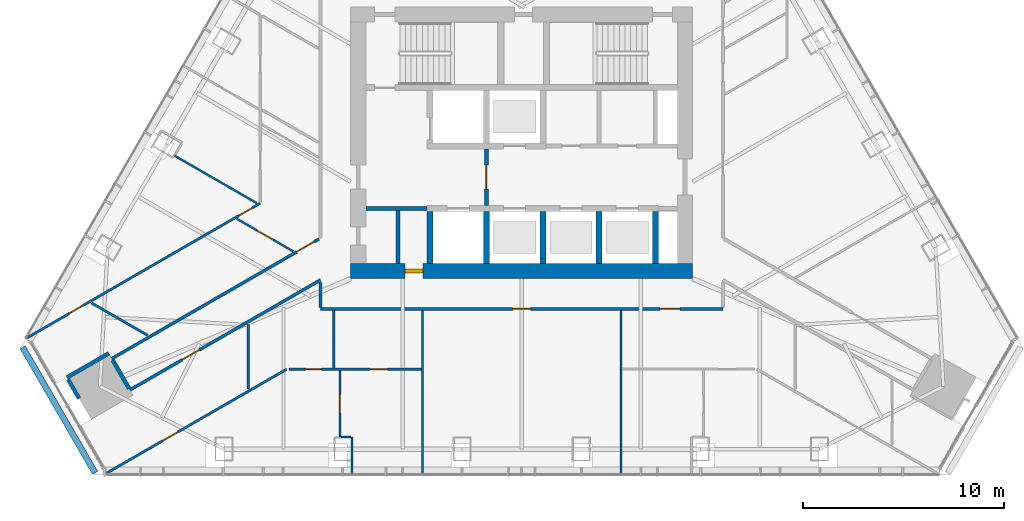
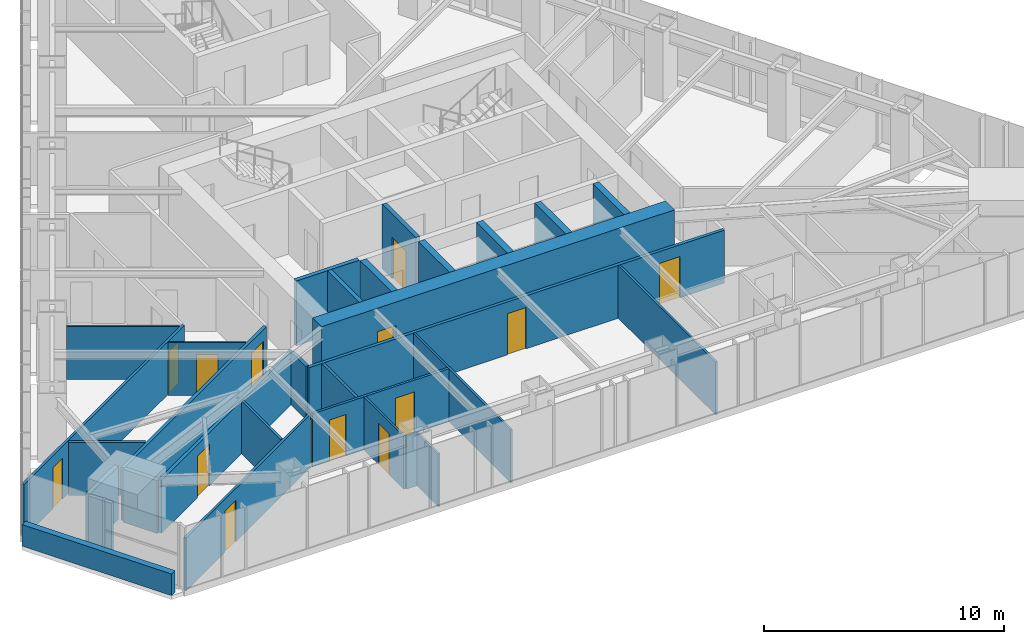
# One storey, part 10 of 15: 30 walls, 13 doors, 13 openings.
"""IFC4 building model written with IfcOpenShell, lengths in metres."""

from ifc_helpers import new_model, si_unit, direction, frame, frame_2d, origin, place, context, subcontext, project, spatial, rectangle, extrude, material, layer, layer_set, type_object, element, fill, save


model = new_model("IFC4")

# Units and contexts
model_context = context("Model", 3, precision=1e-05, world=origin(), true_north=direction((0.0, 1.0)))
body_context = subcontext(model_context, "Body", "Model", "MODEL_VIEW")
ifc_project = project(units=[si_unit("LENGTHUNIT", "METRE"), si_unit("AREAUNIT", "SQUARE_METRE"), si_unit("VOLUMEUNIT", "CUBIC_METRE"), si_unit("PLANEANGLEUNIT", "RADIAN"), si_unit("MASSUNIT", "GRAM", prefix="KILO")], contexts=[model_context])

# Site, building, storey
site_placement = place(None, origin())
site = spatial("IfcSite", under=ifc_project, at=site_placement, CompositionType="ELEMENT")
building_placement = place(site_placement, origin())
building = spatial("IfcBuilding", under=site, at=building_placement, Name="Firuza Gate Tower and Library", CompositionType="ELEMENT")
storey_placement = place(building_placement, frame((0.0, 0.0, 309.10009765625)))
storey = spatial("IfcBuildingStorey", under=building, at=storey_placement, Name="L75", CompositionType="ELEMENT", Elevation=309.10009765625)

# Walls
ifc_material_1 = material(Name="Plasterboard on steel studs", Category="steel")
ifc_layer_1 = layer(ifc_material_1, 0.199951171875)
ifc_layer_set_1 = layer_set([ifc_layer_1], Name="Core partition 200 EI 120")
wall_type_1 = type_object("IfcWallType", Name="Core partition 200 EI 120", PredefinedType="PARTITIONING", material=ifc_layer_set_1)
wall_1_placement = place(storey_placement, frame((67.25, 71.75, 0.0), z_axis=(0.0, 0.0, 1.0), x_axis=(1.0, 0.0, 0.0)))
element("IfcWall", 1, at=wall_1_placement, inside=storey, type_object=wall_type_1, Name="Core partition L75 1", PredefinedType="PARTITIONING", context=body_context, shape_type="SweptSolid", body=[
    extrude(rectangle(XDim=3.050048828125, YDim=0.199951171875, at=frame_2d((1.52490234375, 0.0))), origin(), (0.0, 0.0, 1.0), 3.2998046875),
])
wall_2_placement = place(storey_placement, frame((68.85009765625, 69.0, 0.0), z_axis=(0.0, 0.0, 1.0), x_axis=(0.0, 1.0, 0.0)))
element("IfcWall", 2, at=wall_2_placement, inside=storey, type_object=wall_type_1, Name="Core partition L75 4", PredefinedType="PARTITIONING", context=body_context, shape_type="SweptSolid", body=[
    extrude(rectangle(XDim=2.64990234375, YDim=0.199951171875, at=frame_2d((1.324951171875, 0.0))), origin(), (0.0, 0.0, 1.0), 3.2998046875),
])

# Wall, opening, door
ifc_material_2 = material(Name="Plasterboard on steel studs", Category="steel")
ifc_layer_2 = layer(ifc_material_2, 0.199951171875)
ifc_layer_set_2 = layer_set([ifc_layer_2], Name="Core partition 200 EI 60")
wall_type_2 = type_object("IfcWallType", Name="Core partition 200 EI 60", PredefinedType="PARTITIONING", material=ifc_layer_set_2)
wall_3_placement = place(storey_placement, frame((73.25, 71.89990234375, 0.0), z_axis=(0.0, 0.0, 1.0), x_axis=(0.0, 1.0, 0.0)))
wall_3 = element("IfcWall", 3, at=wall_3_placement, inside=storey, type_object=wall_type_2, Name="Core partition L75 5", PredefinedType="PARTITIONING", context=body_context, shape_type="SweptSolid", body=[
    extrude(rectangle(XDim=2.800048828125, YDim=0.199951171875, at=frame_2d((1.39990234375, 0.0))), origin(), (0.0, 0.0, 1.0), 3.2998046875),
])
opening_1_placement = place(wall_3_placement, frame((0.800048828125, 0.0, 0.0)))
opening_1 = element("IfcOpeningElement", 4, at=opening_1_placement, cuts=wall_3, Name="Opening L75-K14", PredefinedType="OPENING", context=body_context, shape_type="SweptSolid", body=[
    extrude(rectangle(XDim=1.199951171875, YDim=2.10009765625, at=frame_2d((0.60009765625, 1.050048828125))), frame((0.0, 0.10986328125, 0.0), z_axis=(0.0, -1.0, 0.0), x_axis=(1.0, 0.0, 0.0)), (0.0, 0.0, 1.0), 0.219970703125),
])
ifc_material_3 = material(Name="Steel", Category="steel")
door_type_1 = type_object("IfcDoorType", Name="Fire door 1200x2100 FD90S", OperationType="NOTDEFINED", PredefinedType="DOOR", material=ifc_material_3)
door_1_placement = place(opening_1_placement, origin())
door_1 = element("IfcDoor", 5, at=door_1_placement, inside=storey, type_object=door_type_1, Name="Door L75-K14", OperationType="SINGLE_SWING_LEFT", OverallHeight=2.10009765625, OverallWidth=1.199951171875, PredefinedType="DOOR", context=body_context, shape_type="SweptSolid", body=[
    extrude(rectangle(XDim=1.199951171875, YDim=2.10009765625, at=frame_2d((0.60009765625, 1.050048828125))), frame((0.0, 0.02490234375, 0.0), z_axis=(0.0, -1.0, 0.0), x_axis=(1.0, 0.0, 0.0)), (0.0, 0.0, 1.0), 0.050048828125),
])
fill(opening_1, door_1)

# Walls
ifc_material_4 = material(Name="Concrete C60/75", Category="concrete")
ifc_layer_3 = layer(ifc_material_4, 0.300048828125)
ifc_layer_set_3 = layer_set([ifc_layer_3], Name="Core wall 300 C60/75")
wall_type_3 = type_object("IfcWallType", Name="Core wall 300 C60/75", PredefinedType="SHEAR", material=ifc_layer_set_3)
for number, where, z_axis, x_axis, name in (
    (6, (70.449951171875, 69.0, 0.0), (0.0, 0.0, 1.0), (0.0, 1.0, 0.0), "Core wall L75 7"),
    (7, (73.25, 69.0, 0.0), (0.0, 0.0, 1.0), (0.0, 1.0, 0.0), "Core wall L75 9"),
    (8, (76.050048828125, 69.0, 0.0), (0.0, 0.0, 1.0), (0.0, 1.0, 0.0), "Core wall L75 11"),
    (9, (78.85009765625, 69.0, 0.0), (0.0, 0.0, 1.0), (0.0, 1.0, 0.0), "Core wall L75 13"),
    (10, (81.64990234375, 69.0, 0.0), (0.0, 0.0, 1.0), (0.0, 1.0, 0.0), "Core wall L75 14"),
):
    element("IfcWall", number, at=place(storey_placement, frame(where, z_axis=z_axis, x_axis=x_axis)), inside=storey, type_object=wall_type_3, Name=name, PredefinedType="SHEAR", context=body_context, shape_type="SweptSolid", body=[
        extrude(rectangle(XDim=2.60009765625, YDim=0.300048828125, at=frame_2d((1.300048828125, 0.0))), origin(), (0.0, 0.0, 1.0), 3.2998046875),
    ])

# Wall, opening, door
ifc_material_5 = material(Name="Concrete C60/75", Category="concrete")
ifc_layer_4 = layer(ifc_material_5, 0.75)
ifc_layer_set_4 = layer_set([ifc_layer_4], Name="Core wall 750 C60/75")
wall_type_4 = type_object("IfcWallType", Name="Core wall 750 C60/75", PredefinedType="SHEAR", material=ifc_layer_set_4)
wall_4_placement = place(storey_placement, frame((66.5, 68.625, 0.0), z_axis=(0.0, 0.0, 1.0), x_axis=(1.0, 0.0, 0.0)))
wall_4 = element("IfcWall", 11, at=wall_4_placement, inside=storey, type_object=wall_type_4, Name="Core wall L75 1", PredefinedType="SHEAR", context=body_context, shape_type="SweptSolid", body=[
    extrude(rectangle(XDim=17.0, YDim=0.75, at=frame_2d((8.5, 0.0))), origin(), (0.0, 0.0, 1.0), 3.2998046875),
])
opening_2_placement = place(wall_4_placement, frame((2.699951171875, 0.0, 0.0)))
opening_2 = element("IfcOpeningElement", 12, at=opening_2_placement, cuts=wall_4, Name="Opening L75-K18", PredefinedType="OPENING", context=body_context, shape_type="SweptSolid", body=[
    extrude(rectangle(XDim=0.89990234375, YDim=2.10009765625, at=frame_2d((0.449951171875, 1.050048828125))), frame((0.0, 0.385009765625, 0.0), z_axis=(0.0, -1.0, 0.0), x_axis=(1.0, 0.0, 0.0)), (0.0, 0.0, 1.0), 0.77001953125),
])
ifc_material_6 = material(Name="Steel", Category="steel")
door_type_2 = type_object("IfcDoorType", Name="Fire door 900x2100 FD30S", OperationType="NOTDEFINED", PredefinedType="DOOR", material=ifc_material_6)
door_2_placement = place(opening_2_placement, origin())
door_2 = element("IfcDoor", 13, at=door_2_placement, inside=storey, type_object=door_type_2, Name="Door L75-K18", OperationType="SINGLE_SWING_LEFT", OverallHeight=2.10009765625, OverallWidth=0.89990234375, PredefinedType="DOOR", context=body_context, shape_type="SweptSolid", body=[
    extrude(rectangle(XDim=0.89990234375, YDim=2.10009765625, at=frame_2d((0.449951171875, 1.050048828125))), frame((0.0, 0.094970703125, 0.0), z_axis=(0.0, -1.0, 0.0), x_axis=(1.0, 0.0, 0.0)), (0.0, 0.0, 1.0), 0.18994140625),
])
fill(opening_2, door_2)

# Wall, openings, doors
ifc_material_7 = material(Name="Gypsum board partition")
ifc_layer_5 = layer(ifc_material_7, 0.14990234375)
ifc_layer_set_5 = layer_set([ifc_layer_5], Name="Corridor wall 150 double board on steel studs")
wall_type_5 = type_object("IfcWallType", Name="Corridor wall 150 double board on steel studs", PredefinedType="PARTITIONING", material=ifc_layer_set_5)
wall_5_placement = place(storey_placement, frame((85.0, 66.75, 0.0), z_axis=(0.0, 0.0, 1.0), x_axis=(-1.0, 0.0, 0.0)))
wall_5 = element("IfcWall", 14, at=wall_5_placement, inside=storey, type_object=wall_type_5, Name="f:L75:w004", PredefinedType="PARTITIONING", context=body_context, shape_type="SweptSolid", body=[
    extrude(rectangle(XDim=20.0, YDim=0.14990234375, at=frame_2d((10.0, 0.0))), origin(), (0.0, 0.0, 1.0), 2.699951171875),
])
opening_3_placement = place(wall_5_placement, frame((2.134765625, 0.0, 0.0)))
opening_3 = element("IfcOpeningElement", 15, at=opening_3_placement, cuts=wall_5, Name="Opening L75-04", PredefinedType="OPENING", context=body_context, shape_type="SweptSolid", body=[
    extrude(rectangle(XDim=1.0, YDim=2.10009765625, at=frame_2d((0.5, 1.050048828125))), frame((0.0, 0.0849609375, 0.0), z_axis=(0.0, -1.0, 0.0), x_axis=(1.0, 0.0, 0.0)), (0.0, 0.0, 1.0), 0.169921875),
])
opening_4_placement = place(wall_5_placement, frame((9.550048828125, 0.0, 0.0)))
opening_4 = element("IfcOpeningElement", 16, at=opening_4_placement, cuts=wall_5, Name="Opening L75-05", PredefinedType="OPENING", context=body_context, shape_type="SweptSolid", body=[
    extrude(rectangle(XDim=0.89990234375, YDim=2.10009765625, at=frame_2d((0.449951171875, 1.050048828125))), frame((0.0, 0.0849609375, 0.0), z_axis=(0.0, -1.0, 0.0), x_axis=(1.0, 0.0, 0.0)), (0.0, 0.0, 1.0), 0.169921875),
])
ifc_material_8 = material(Name="Steel door and timber leaf", Category="steel")
door_type_3 = type_object("IfcDoorType", Name="Fire door 1000 x 2100 steel frame, timber leaf", OperationType="NOTDEFINED", PredefinedType="DOOR", material=ifc_material_8)
door_3_placement = place(opening_3_placement, origin())
door_3 = element("IfcDoor", 17, at=door_3_placement, inside=storey, type_object=door_type_3, Name="f:L75:d004", OperationType="SINGLE_SWING_LEFT", OverallHeight=2.10009765625, OverallWidth=1.0, PredefinedType="DOOR", context=body_context, shape_type="SweptSolid", body=[
    extrude(rectangle(XDim=1.0, YDim=2.10009765625, at=frame_2d((0.5, 1.050048828125))), frame((0.0, 0.02490234375, 0.0), z_axis=(0.0, -1.0, 0.0), x_axis=(1.0, 0.0, 0.0)), (0.0, 0.0, 1.0), 0.050048828125),
])
fill(opening_3, door_3)
ifc_material_9 = material(Name="Steel door and timber leaf", Category="steel")
door_type_4 = type_object("IfcDoorType", Name="Fire door 900 x 2100 steel frame, timber leaf", OperationType="NOTDEFINED", PredefinedType="DOOR", material=ifc_material_9)
door_4_placement = place(opening_4_placement, origin())
door_4 = element("IfcDoor", 18, at=door_4_placement, inside=storey, type_object=door_type_4, Name="f:L75:d005", OperationType="SINGLE_SWING_LEFT", OverallHeight=2.10009765625, OverallWidth=0.89990234375, PredefinedType="DOOR", context=body_context, shape_type="SweptSolid", body=[
    extrude(rectangle(XDim=0.89990234375, YDim=2.10009765625, at=frame_2d((0.449951171875, 1.050048828125))), frame((0.0, 0.02490234375, 0.0), z_axis=(0.0, -1.0, 0.0), x_axis=(1.0, 0.0, 0.0)), (0.0, 0.0, 1.0), 0.050048828125),
])
fill(opening_4, door_4)

# Wall, opening, door
wall_6_placement = place(storey_placement, frame((65.0, 68.187255859375, 0.0), z_axis=(0.0, 0.0, 1.0), x_axis=(-0.866028339337, -0.499994915439, 0.0)))
wall_6 = element("IfcWall", 19, at=wall_6_placement, inside=storey, type_object=wall_type_5, Name="f:L75:w016", PredefinedType="PARTITIONING", context=body_context, shape_type="SweptSolid", body=[
    extrude(rectangle(XDim=10.9365234375, YDim=0.14990234375, at=frame_2d((5.46826171875, 0.0))), origin(), (0.0, 0.0, 1.0), 2.697021484375),
])
opening_5_placement = place(wall_6_placement, frame((6.943359375, 0.0, 0.0)))
opening_5 = element("IfcOpeningElement", 20, at=opening_5_placement, cuts=wall_6, Name="Opening L75-10", PredefinedType="OPENING", context=body_context, shape_type="SweptSolid", body=[
    extrude(rectangle(XDim=1.0, YDim=2.10009765625, at=frame_2d((0.5, 1.050048828125))), frame((0.0, 0.0849609375, 0.0), z_axis=(0.0, -1.0, 0.0), x_axis=(1.0, 0.0, 0.0)), (0.0, 0.0, 1.0), 0.169921875),
])
door_5_placement = place(opening_5_placement, origin())
door_5 = element("IfcDoor", 21, at=door_5_placement, inside=storey, type_object=door_type_3, Name="f:L75:d010", OperationType="SINGLE_SWING_LEFT", OverallHeight=2.10009765625, OverallWidth=1.0, PredefinedType="DOOR", context=body_context, shape_type="SweptSolid", body=[
    extrude(rectangle(XDim=1.0, YDim=2.10009765625, at=frame_2d((0.5, 1.050048828125))), frame((0.0, 0.02490234375, 0.0), z_axis=(0.0, -1.0, 0.0), x_axis=(1.0, 0.0, 0.0)), (0.0, 0.0, 1.0), 0.050048828125),
])
fill(opening_5, door_5)

wall_7_placement = place(storey_placement, frame((54.6279296875, 64.277587890625, 0.0), z_axis=(0.0, 0.0, 1.0), x_axis=(0.866033426221, 0.499986104476, 0.0)))
wall_7 = element("IfcWall", 22, at=wall_7_placement, inside=storey, type_object=wall_type_5, Name="f:L75:w017", PredefinedType="PARTITIONING", context=body_context, shape_type="SweptSolid", body=[
    extrude(rectangle(XDim=11.889892578125, YDim=0.14990234375, at=frame_2d((5.94482421875, 0.0))), origin(), (0.0, 0.0, 1.0), 2.699951171875),
])
opening_6_placement = place(wall_7_placement, frame((10.611572265625, 0.0, 0.0)))
opening_6 = element("IfcOpeningElement", 23, at=opening_6_placement, cuts=wall_7, Name="Opening L75-11", PredefinedType="OPENING", context=body_context, shape_type="SweptSolid", body=[
    extrude(rectangle(XDim=1.0, YDim=2.10009765625, at=frame_2d((0.5, 1.050048828125))), frame((0.0, 0.0849609375, 0.0), z_axis=(0.0, -1.0, 0.0), x_axis=(1.0, 0.0, 0.0)), (0.0, 0.0, 1.0), 0.169921875),
])
door_6_placement = place(opening_6_placement, origin())
door_6 = element("IfcDoor", 24, at=door_6_placement, inside=storey, type_object=door_type_3, Name="f:L75:d011", OperationType="SINGLE_SWING_RIGHT", OverallHeight=2.10009765625, OverallWidth=1.0, PredefinedType="DOOR", context=body_context, shape_type="SweptSolid", body=[
    extrude(rectangle(XDim=1.0, YDim=2.10009765625, at=frame_2d((0.5, 1.050048828125))), frame((0.0, 0.02490234375, 0.0), z_axis=(0.0, -1.0, 0.0), x_axis=(1.0, 0.0, 0.0)), (0.0, 0.0, 1.0), 0.050048828125),
])
fill(opening_6, door_6)

# Walls
wall_8_placement = place(storey_placement, frame((65.0, 66.824951171875, 0.0), z_axis=(0.0, 0.0, 1.0), x_axis=(0.0, 1.0, 0.0)))
element("IfcWall", 25, at=wall_8_placement, inside=storey, type_object=wall_type_5, Name="f:L75:w045", PredefinedType="PARTITIONING", context=body_context, shape_type="SweptSolid", body=[
    extrude(rectangle(XDim=1.225830078125, YDim=0.14990234375, at=frame_2d((0.61279296875, 0.0))), origin(), (0.0, 0.0, 1.0), 2.697021484375),
])
ifc_material_10 = material(Name="Gypsum board partition")
ifc_layer_6 = layer(ifc_material_10, 0.199951171875)
ifc_layer_set_6 = layer_set([ifc_layer_6], Name="Demising wall 200 acoustic double stud")
wall_type_6 = type_object("IfcWallType", Name="Demising wall 200 acoustic double stud", PredefinedType="PARTITIONING", material=ifc_layer_set_6)
wall_9_placement = place(storey_placement, frame((52.399658203125, 63.33740234375, 0.0), z_axis=(0.0, 0.0, 1.0), x_axis=(0.866024647952, 0.500001309137, 0.0)))
element("IfcWall", 26, at=wall_9_placement, inside=storey, type_object=wall_type_6, Name="f:L75:w019", PredefinedType="PARTITIONING", context=body_context, shape_type="SweptSolid", body=[
    extrude(rectangle(XDim=2.39990234375, YDim=0.199951171875, at=frame_2d((1.199951171875, 0.0))), origin(), (0.0, 0.0, 1.0), 2.699951171875),
])
wall_10_placement = place(storey_placement, frame((55.490234375, 62.783935546875, 0.0), z_axis=(0.0, 0.0, 1.0), x_axis=(-0.499970888758, 0.866042210515, 0.0)))
element("IfcWall", 27, at=wall_10_placement, inside=storey, type_object=wall_type_6, Name="f:L75:w049", PredefinedType="PARTITIONING", context=body_context, shape_type="SweptSolid", body=[
    extrude(rectangle(XDim=1.64453125, YDim=0.199951171875, at=frame_2d((0.822265625, 0.0))), origin(), (0.0, 0.0, 1.0), 2.697021484375),
])
wall_11_placement = place(storey_placement, frame((52.99951171875, 62.298095703125, 0.0), z_axis=(0.0, 0.0, 1.0), x_axis=(-0.50002983664, 0.866008176907, 0.0)))
element("IfcWall", 28, at=wall_11_placement, inside=storey, type_object=wall_type_6, Name="f:L75:w050", PredefinedType="PARTITIONING", context=body_context, shape_type="SweptSolid", body=[
    extrude(rectangle(XDim=1.10009765625, YDim=0.199951171875, at=frame_2d((0.550048828125, 0.0))), origin(), (0.0, 0.0, 1.0), 2.699951171875),
])
ifc_material_11 = material(Name="Gypsum board partition")
ifc_layer_7 = layer(ifc_material_11, 0.10009765625)
ifc_layer_set_7 = layer_set([ifc_layer_7], Name="Partition 100 gypsum board on steel studs")
wall_type_7 = type_object("IfcWallType", Name="Partition 100 gypsum board on steel studs", PredefinedType="PARTITIONING", material=ifc_layer_set_7)
wall_12_placement = place(storey_placement, frame((66.019775390625, 60.3798828125, 0.0), z_axis=(0.0, 0.0, 1.0), x_axis=(1.0, 0.0, 0.0)))
element("IfcWall", 29, at=wall_12_placement, inside=storey, type_object=wall_type_7, Name="f:L75:w000", PredefinedType="PARTITIONING", context=body_context, shape_type="SweptSolid", body=[
    extrude(rectangle(XDim=0.500244140625, YDim=0.10009765625, at=frame_2d((0.25, 0.0))), origin(), (0.0, 0.0, 1.0), 2.699951171875),
])
for number, where, z_axis, x_axis, name in (
    (30, (79.93310546875, 58.560302734375, 0.0), (0.0, 0.0, 1.0), (0.0, 1.0, 0.0), "f:L75:w034"),
    (31, (70.06689453125, 58.560302734375, 0.0), (0.0, 0.0, 1.0), (0.0, 1.0, 0.0), "f:L75:w041"),
):
    element("IfcWall", number, at=place(storey_placement, frame(where, z_axis=z_axis, x_axis=x_axis)), inside=storey, type_object=wall_type_7, Name=name, PredefinedType="PARTITIONING", context=body_context, shape_type="SweptSolid", body=[
        extrude(rectangle(XDim=8.11474609375, YDim=0.10009765625, at=frame_2d((4.057373046875, 0.0))), origin(), (0.0, 0.0, 1.0), 2.68798828125),
    ])
wall_13_placement = place(storey_placement, frame((66.570068359375, 58.560302734375, 0.0), z_axis=(0.0, 0.0, 1.0), x_axis=(0.0, 1.0, 0.0)))
element("IfcWall", 32, at=wall_13_placement, inside=storey, type_object=wall_type_7, Name="f:L75:w042", PredefinedType="PARTITIONING", context=body_context, shape_type="SweptSolid", body=[
    extrude(rectangle(XDim=1.820068359375, YDim=0.10009765625, at=frame_2d((0.91015625, 0.0))), origin(), (0.0, 0.0, 1.0), 2.68798828125),
])

# Wall, opening, door
wall_14_placement = place(storey_placement, frame((65.9599609375, 63.68994140625, 0.0), z_axis=(0.0, 0.0, 1.0), x_axis=(0.0, -1.0, 0.0)))
wall_14 = element("IfcWall", 33, at=wall_14_placement, inside=storey, type_object=wall_type_7, Name="f:L75:w043", PredefinedType="PARTITIONING", context=body_context, shape_type="SweptSolid", body=[
    extrude(rectangle(XDim=3.3095703125, YDim=0.10009765625, at=frame_2d((1.65478515625, 0.0))), origin(), (0.0, 0.0, 1.0), 2.699951171875),
])
opening_7_placement = place(wall_14_placement, frame((1.204833984375, 0.0, 0.0)))
opening_7 = element("IfcOpeningElement", 34, at=opening_7_placement, cuts=wall_14, Name="Opening L75-19", PredefinedType="OPENING", context=body_context, shape_type="SweptSolid", body=[
    extrude(rectangle(XDim=0.89990234375, YDim=2.10009765625, at=frame_2d((0.449951171875, 1.050048828125))), frame((0.0, 0.06005859375, 0.0), z_axis=(0.0, -1.0, 0.0), x_axis=(1.0, 0.0, 0.0)), (0.0, 0.0, 1.0), 0.1201171875),
])
ifc_material_12 = material(Name="Timber door", Category="wood")
door_type_5 = type_object("IfcDoorType", Name="Door 900 x 2100 timber leaf", OperationType="NOTDEFINED", PredefinedType="DOOR", material=ifc_material_12)
door_7_placement = place(opening_7_placement, origin())
door_7 = element("IfcDoor", 35, at=door_7_placement, inside=storey, type_object=door_type_5, Name="f:L75:d019", OperationType="SINGLE_SWING_RIGHT", OverallHeight=2.10009765625, OverallWidth=0.89990234375, PredefinedType="DOOR", context=body_context, shape_type="SweptSolid", body=[
    extrude(rectangle(XDim=0.89990234375, YDim=2.10009765625, at=frame_2d((0.449951171875, 1.050048828125))), frame((0.0, 0.02490234375, 0.0), z_axis=(0.0, -1.0, 0.0), x_axis=(1.0, 0.0, 0.0)), (0.0, 0.0, 1.0), 0.050048828125),
])
fill(opening_7, door_7)

# Wall
wall_15_placement = place(storey_placement, frame((61.837158203125, 72.0029296875, 0.0), z_axis=(0.0, 0.0, 1.0), x_axis=(-0.86602790099, 0.499995674689, 0.0)))
element("IfcWall", 36, at=wall_15_placement, inside=storey, type_object=wall_type_7, Name="f:L75:w062", PredefinedType="PARTITIONING", context=body_context, shape_type="SweptSolid", body=[
    extrude(rectangle(XDim=4.71826171875, YDim=0.10009765625, at=frame_2d((2.359130859375, 0.0))), origin(), (0.0, 0.0, 1.0), 2.699951171875),
])

# Wall, opening, door
wall_16_placement = place(storey_placement, frame((63.652099609375, 69.604248046875, 0.0), z_axis=(0.0, 0.0, 1.0), x_axis=(-0.866032882975, 0.499987045439, 0.0)))
wall_16 = element("IfcWall", 37, at=wall_16_placement, inside=storey, type_object=wall_type_7, Name="f:L75:w063", PredefinedType="PARTITIONING", context=body_context, shape_type="SweptSolid", body=[
    extrude(rectangle(XDim=3.248046875, YDim=0.10009765625, at=frame_2d((1.6240234375, 0.0))), origin(), (0.0, 0.0, 1.0), 2.699951171875),
])
opening_8_placement = place(wall_16_placement, frame((1.174072265625, 0.0, 0.0)))
opening_8 = element("IfcOpeningElement", 38, at=opening_8_placement, cuts=wall_16, Name="Opening L75-27", PredefinedType="OPENING", context=body_context, shape_type="SweptSolid", body=[
    extrude(rectangle(XDim=0.89990234375, YDim=2.10009765625, at=frame_2d((0.449951171875, 1.050048828125))), frame((0.0, 0.06005859375, 0.0), z_axis=(0.0, -1.0, 0.0), x_axis=(1.0, 0.0, 0.0)), (0.0, 0.0, 1.0), 0.1201171875),
])
door_8_placement = place(opening_8_placement, origin())
door_8 = element("IfcDoor", 39, at=door_8_placement, inside=storey, type_object=door_type_5, Name="f:L75:d027", OperationType="SINGLE_SWING_RIGHT", OverallHeight=2.10009765625, OverallWidth=0.89990234375, PredefinedType="DOOR", context=body_context, shape_type="SweptSolid", body=[
    extrude(rectangle(XDim=0.89990234375, YDim=2.10009765625, at=frame_2d((0.449951171875, 1.050048828125))), frame((0.0, 0.02490234375, 0.0), z_axis=(0.0, -1.0, 0.0), x_axis=(1.0, 0.0, 0.0)), (0.0, 0.0, 1.0), 0.050048828125),
])
fill(opening_8, door_8)

# Wall
ifc_material_13 = material(Name="Concrete C40/50", Category="concrete")
ifc_layer_8 = layer(ifc_material_13, 0.300048828125)
ifc_layer_set_8 = layer_set([ifc_layer_8], Name="Terrace parapet 300")
wall_type_8 = type_object("IfcWallType", Name="Terrace parapet 300", PredefinedType="PARAPET", material=ifc_layer_set_8)
wall_17_placement = place(storey_placement, frame((50.19384765625, 64.835205078125, 0.0), z_axis=(0.0, 0.0, 1.0), x_axis=(0.500012057535, -0.866018442252, 0.0)))
element("IfcWall", 40, at=wall_17_placement, inside=storey, type_object=wall_type_8, Name="Parapet L75 4", PredefinedType="PARAPET", context=body_context, shape_type="SweptSolid", body=[
    extrude(rectangle(XDim=7.199951171875, YDim=0.300048828125, at=frame_2d((3.60009765625, 0.0))), origin(), (0.0, 0.0, 1.0), 1.099853515625),
])

# Wall, openings, doors
ifc_material_14 = material(Name="Gypsum board partition")
ifc_layer_9 = layer(ifc_material_14, 0.1201171875)
ifc_layer_set_9 = layer_set([ifc_layer_9], Name="Wet-area partition 120 moisture-resistant board")
wall_type_9 = type_object("IfcWallType", Name="Wet-area partition 120 moisture-resistant board", PredefinedType="PARTITIONING", material=ifc_layer_set_9)
wall_18_placement = place(storey_placement, frame((63.434326171875, 63.75, 0.0), z_axis=(0.0, 0.0, 1.0), x_axis=(1.0, 0.0, 0.0)))
wall_18 = element("IfcWall", 41, at=wall_18_placement, inside=storey, type_object=wall_type_9, Name="f:L75:w002", PredefinedType="PARTITIONING", context=body_context, shape_type="SweptSolid", body=[
    extrude(rectangle(XDim=6.582275390625, YDim=0.1201171875, at=frame_2d((3.291015625, 0.0))), origin(), (0.0, 0.0, 1.0), 2.699951171875),
])
opening_9_placement = place(wall_18_placement, frame((0.813720703125, 0.0, 0.0)))
opening_9 = element("IfcOpeningElement", 42, at=opening_9_placement, cuts=wall_18, Name="Opening L75-01", PredefinedType="OPENING", context=body_context, shape_type="SweptSolid", body=[
    extrude(rectangle(XDim=0.800048828125, YDim=2.10009765625, at=frame_2d((0.39990234375, 1.050048828125))), frame((0.0, 0.070068359375, 0.0), z_axis=(0.0, -1.0, 0.0), x_axis=(1.0, 0.0, 0.0)), (0.0, 0.0, 1.0), 0.14013671875),
])
opening_10_placement = place(wall_18_placement, frame((4.00244140625, 0.0, 0.0)))
opening_10 = element("IfcOpeningElement", 43, at=opening_10_placement, cuts=wall_18, Name="Opening L75-02", PredefinedType="OPENING", context=body_context, shape_type="SweptSolid", body=[
    extrude(rectangle(XDim=0.89990234375, YDim=2.10009765625, at=frame_2d((0.449951171875, 1.050048828125))), frame((0.0, 0.070068359375, 0.0), z_axis=(0.0, -1.0, 0.0), x_axis=(1.0, 0.0, 0.0)), (0.0, 0.0, 1.0), 0.14013671875),
])
ifc_material_15 = material(Name="Timber door", Category="wood")
door_type_6 = type_object("IfcDoorType", Name="Door 800 x 2100 timber leaf", OperationType="NOTDEFINED", PredefinedType="DOOR", material=ifc_material_15)
door_9_placement = place(opening_9_placement, origin())
door_9 = element("IfcDoor", 44, at=door_9_placement, inside=storey, type_object=door_type_6, Name="f:L75:d001", OperationType="SINGLE_SWING_RIGHT", OverallHeight=2.10009765625, OverallWidth=0.800048828125, PredefinedType="DOOR", context=body_context, shape_type="SweptSolid", body=[
    extrude(rectangle(XDim=0.800048828125, YDim=2.10009765625, at=frame_2d((0.39990234375, 1.050048828125))), frame((0.0, 0.02490234375, 0.0), z_axis=(0.0, -1.0, 0.0), x_axis=(1.0, 0.0, 0.0)), (0.0, 0.0, 1.0), 0.050048828125),
])
fill(opening_9, door_9)
door_10_placement = place(opening_10_placement, origin())
door_10 = element("IfcDoor", 45, at=door_10_placement, inside=storey, type_object=door_type_5, Name="f:L75:d002", OperationType="SINGLE_SWING_LEFT", OverallHeight=2.10009765625, OverallWidth=0.89990234375, PredefinedType="DOOR", context=body_context, shape_type="SweptSolid", body=[
    extrude(rectangle(XDim=0.89990234375, YDim=2.10009765625, at=frame_2d((0.449951171875, 1.050048828125))), frame((0.0, 0.02490234375, 0.0), z_axis=(0.0, -1.0, 0.0), x_axis=(1.0, 0.0, 0.0)), (0.0, 0.0, 1.0), 0.050048828125),
])
fill(opening_10, door_10)

# Wall, opening, door
wall_19_placement = place(storey_placement, frame((63.314453125, 63.75, 0.0), z_axis=(0.0, 0.0, 1.0), x_axis=(-0.866030084385, -0.499991892875, 0.0)))
wall_19 = element("IfcWall", 46, at=wall_19_placement, inside=storey, type_object=wall_type_9, Name="f:L75:w013", PredefinedType="PARTITIONING", context=body_context, shape_type="SweptSolid", body=[
    extrude(rectangle(XDim=10.379638671875, YDim=0.1201171875, at=frame_2d((5.18994140625, 0.0))), origin(), (0.0, 0.0, 1.0), 2.699951171875),
])
opening_11_placement = place(wall_19_placement, frame((6.21826171875, 0.0, 0.0)))
opening_11 = element("IfcOpeningElement", 47, at=opening_11_placement, cuts=wall_19, Name="Opening L75-09", PredefinedType="OPENING", context=body_context, shape_type="SweptSolid", body=[
    extrude(rectangle(XDim=0.89990234375, YDim=2.10009765625, at=frame_2d((0.449951171875, 1.050048828125))), frame((0.0, 0.070068359375, 0.0), z_axis=(0.0, -1.0, 0.0), x_axis=(1.0, 0.0, 0.0)), (0.0, 0.0, 1.0), 0.14013671875),
])
door_11_placement = place(opening_11_placement, origin())
door_11 = element("IfcDoor", 48, at=door_11_placement, inside=storey, type_object=door_type_5, Name="f:L75:d009", OperationType="SINGLE_SWING_RIGHT", OverallHeight=2.10009765625, OverallWidth=0.89990234375, PredefinedType="DOOR", context=body_context, shape_type="SweptSolid", body=[
    extrude(rectangle(XDim=0.89990234375, YDim=2.10009765625, at=frame_2d((0.449951171875, 1.050048828125))), frame((0.0, 0.02490234375, 0.0), z_axis=(0.0, -1.0, 0.0), x_axis=(1.0, 0.0, 0.0)), (0.0, 0.0, 1.0), 0.050048828125),
])
fill(opening_11, door_11)

# Wall, openings, doors
wall_20_placement = place(storey_placement, frame((62.0, 71.997802734375, 0.0), z_axis=(0.0, 0.0, 1.0), x_axis=(-0.866025574339, -0.499999704591, 0.0)))
wall_20 = element("IfcWall", 49, at=wall_20_placement, inside=storey, type_object=wall_type_9, Name="f:L75:w020", PredefinedType="PARTITIONING", context=body_context, shape_type="SweptSolid", body=[
    extrude(rectangle(XDim=13.36474609375, YDim=0.1201171875, at=frame_2d((6.682373046875, 0.0))), origin(), (0.0, 0.0, 1.0), 2.699951171875),
])
opening_12_placement = place(wall_20_placement, frame((0.42138671875, 0.0, 0.0)))
opening_12 = element("IfcOpeningElement", 50, at=opening_12_placement, cuts=wall_20, Name="Opening L75-12", PredefinedType="OPENING", context=body_context, shape_type="SweptSolid", body=[
    extrude(rectangle(XDim=0.800048828125, YDim=2.10009765625, at=frame_2d((0.39990234375, 1.050048828125))), frame((0.0, 0.070068359375, 0.0), z_axis=(0.0, -1.0, 0.0), x_axis=(1.0, 0.0, 0.0)), (0.0, 0.0, 1.0), 0.14013671875),
])
opening_13_placement = place(wall_20_placement, frame((10.158447265625, 0.0, 0.0)))
opening_13 = element("IfcOpeningElement", 51, at=opening_13_placement, cuts=wall_20, Name="Opening L75-13", PredefinedType="OPENING", context=body_context, shape_type="SweptSolid", body=[
    extrude(rectangle(XDim=0.800048828125, YDim=2.10009765625, at=frame_2d((0.39990234375, 1.050048828125))), frame((0.0, 0.070068359375, 0.0), z_axis=(0.0, -1.0, 0.0), x_axis=(1.0, 0.0, 0.0)), (0.0, 0.0, 1.0), 0.14013671875),
])
door_12_placement = place(opening_12_placement, origin())
door_12 = element("IfcDoor", 52, at=door_12_placement, inside=storey, type_object=door_type_6, Name="f:L75:d012", OperationType="SINGLE_SWING_RIGHT", OverallHeight=2.10009765625, OverallWidth=0.800048828125, PredefinedType="DOOR", context=body_context, shape_type="SweptSolid", body=[
    extrude(rectangle(XDim=0.800048828125, YDim=2.10009765625, at=frame_2d((0.39990234375, 1.050048828125))), frame((0.0, 0.02490234375, 0.0), z_axis=(0.0, -1.0, 0.0), x_axis=(1.0, 0.0, 0.0)), (0.0, 0.0, 1.0), 0.050048828125),
])
fill(opening_12, door_12)
door_13_placement = place(opening_13_placement, origin())
door_13 = element("IfcDoor", 53, at=door_13_placement, inside=storey, type_object=door_type_6, Name="f:L75:d013", OperationType="SINGLE_SWING_RIGHT", OverallHeight=2.10009765625, OverallWidth=0.800048828125, PredefinedType="DOOR", context=body_context, shape_type="SweptSolid", body=[
    extrude(rectangle(XDim=0.800048828125, YDim=2.10009765625, at=frame_2d((0.39990234375, 1.050048828125))), frame((0.0, 0.02490234375, 0.0), z_axis=(0.0, -1.0, 0.0), x_axis=(1.0, 0.0, 0.0)), (0.0, 0.0, 1.0), 0.050048828125),
])
fill(opening_13, door_13)

# Walls
wall_21_placement = place(storey_placement, frame((65.662109375, 63.81005859375, 0.0), z_axis=(0.0, 0.0, 1.0), x_axis=(0.0, 1.0, 0.0)))
element("IfcWall", 54, at=wall_21_placement, inside=storey, type_object=wall_type_9, Name="f:L75:w044", PredefinedType="PARTITIONING", context=body_context, shape_type="SweptSolid", body=[
    extrude(rectangle(XDim=2.864990234375, YDim=0.1201171875, at=frame_2d((1.4326171875, 0.0))), origin(), (0.0, 0.0, 1.0), 2.699951171875),
])
wall_22_placement = place(storey_placement, frame((61.403076171875, 62.755859375, 0.0), z_axis=(0.0, 0.0, 1.0), x_axis=(0.0, 1.0, 0.0)))
element("IfcWall", 55, at=wall_22_placement, inside=storey, type_object=wall_type_9, Name="f:L75:w048", PredefinedType="PARTITIONING", context=body_context, shape_type="SweptSolid", body=[
    extrude(rectangle(XDim=3.228271484375, YDim=0.1201171875, at=frame_2d((1.6142578125, 0.0))), origin(), (0.0, 0.0, 1.0), 2.697021484375),
])
wall_23_placement = place(storey_placement, frame((56.410400390625, 65.43310546875, 0.0), z_axis=(0.0, 0.0, 1.0), x_axis=(-0.866000447062, 0.500043223821, 0.0)))
element("IfcWall", 56, at=wall_23_placement, inside=storey, type_object=wall_type_9, Name="f:L75:w064", PredefinedType="PARTITIONING", context=body_context, shape_type="SweptSolid", body=[
    extrude(rectangle(XDim=3.228271484375, YDim=0.1201171875, at=frame_2d((1.6142578125, 0.0))), origin(), (0.0, 0.0, 1.0), 2.699951171875),
])

save(model, "model.ifc")
